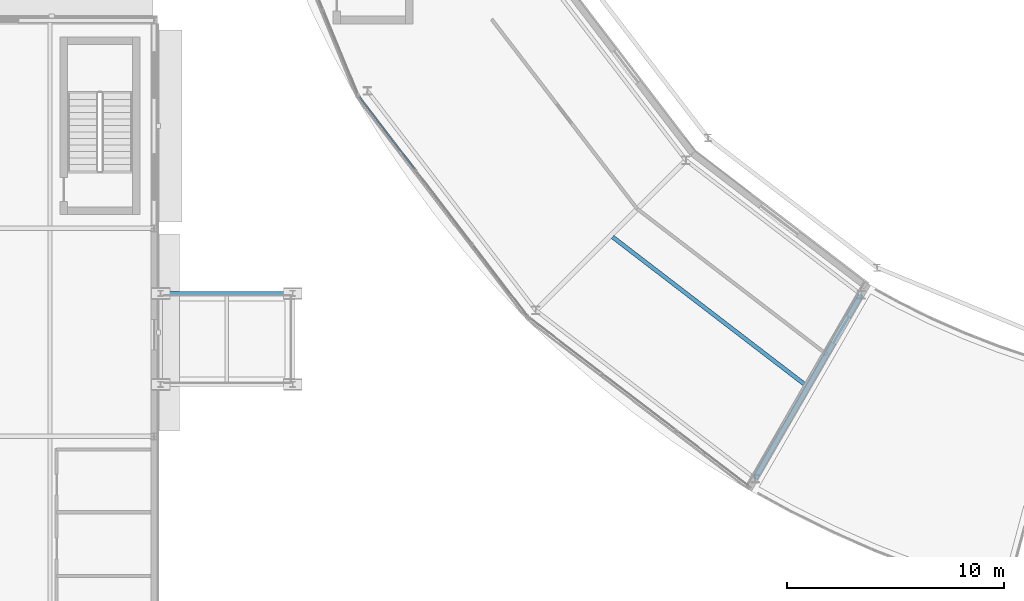
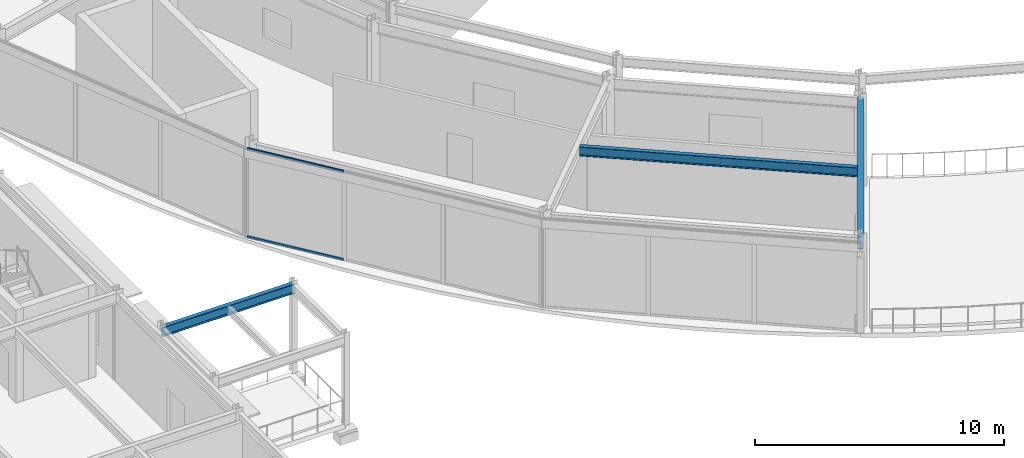
# One storey, part 27 of 157: 3 beams, 2 members, 1 element without a shape of its own.
"""IFC4 building model written with IfcOpenShell, lengths in metres."""

from ifc_helpers import new_model, si_unit, direction, frame, origin, origin_2d, place, context, subcontext, project, spatial, hollow_rectangle, i_section, extrude, material, material_profile, profile_set, type_object, element, aggregate, save


model = new_model("IFC4")

# Units and contexts
model_context = context("Model", 3, precision=1e-05, world=origin(), true_north=direction((0.0, 1.0)))
body_context = subcontext(model_context, "Body", "Model", "MODEL_VIEW")
ifc_project = project(units=[si_unit("LENGTHUNIT", "METRE"), si_unit("AREAUNIT", "SQUARE_METRE"), si_unit("VOLUMEUNIT", "CUBIC_METRE"), si_unit("PLANEANGLEUNIT", "RADIAN"), si_unit("MASSUNIT", "GRAM", prefix="KILO")], contexts=[model_context])

# Site, building, storey
site_placement = place(None, origin())
site = spatial("IfcSite", under=ifc_project, at=site_placement, CompositionType="ELEMENT")
building_placement = place(site_placement, origin())
building = spatial("IfcBuilding", under=site, at=building_placement, Name="Almandine Court Research Institute", CompositionType="ELEMENT")
storey_placement = place(building_placement, frame((0.0, 0.0, 5.25)))
storey = spatial("IfcBuildingStorey", under=building, at=storey_placement, Name="L01", CompositionType="ELEMENT", Elevation=5.25)

# Beams
ifc_material_1 = material(Name="Steel ASTM A992 Grade 50", Category="steel")
ifc_material_profile_1 = material_profile(ifc_material_1, i_section(OverallWidth=0.18994140625, OverallDepth=0.45703125, WebThickness=0.009033203125, FlangeThickness=0.014892578125, at=origin_2d()), Name="W460x74")
ifc_profile_set_1 = profile_set([ifc_material_profile_1], Name="Steel ASTM A992 Grade 50")
beam_type_1 = type_object("IfcBeamType", Name="Beam-B-01", PredefinedType="BEAM", material=ifc_profile_set_1)
beam_1_placement = place(storey_placement, frame((55.971923828125, 24.802978515625, 4.093994140625), z_axis=(0.793343941772, -0.608773677202, 0.0), x_axis=(0.608773677202, 0.793343941772, 0.0)))
element("IfcBeam", 1, at=beam_1_placement, inside=storey, type_object=beam_type_1, Name="L01 Drum MID Ring Beam 15", PredefinedType="BEAM", context=body_context, shape_type="SweptSolid", body=[
    extrude(i_section(OverallWidth=0.18994140625, OverallDepth=0.45703125, WebThickness=0.009033203125, FlangeThickness=0.014892578125, at=origin_2d()), origin(), (0.0, 0.0, 1.0), 11.248779296875),
])
ifc_material_profile_2 = material_profile(ifc_material_1, i_section(OverallWidth=0.22998046875, OverallDepth=0.616943359375, WebThickness=0.012939453125, FlangeThickness=0.02197265625, at=origin_2d()), Name="W610x140")
ifc_profile_set_2 = profile_set([ifc_material_profile_2], Name="Steel ASTM A992 Grade 50")
beam_type_2 = type_object("IfcBeamType", Name="Beam-G-02", PredefinedType="BEAM", material=ifc_profile_set_2)
beam_2_placement = place(storey_placement, frame((67.449951171875, 22.137939453125, 4.013916015625), z_axis=(-0.49999201416, -0.866030014362, 0.0), x_axis=(0.866030014362, -0.49999201416, 0.0)))
element("IfcBeam", 2, at=beam_2_placement, inside=storey, type_object=beam_type_2, Name="L01 Drum Radial Girder 16", PredefinedType="BEAM", context=body_context, shape_type="SweptSolid", body=[
    extrude(i_section(OverallWidth=0.22998046875, OverallDepth=0.616943359375, WebThickness=0.012939453125, FlangeThickness=0.02197265625, at=origin_2d()), origin(), (0.0, 0.0, 1.0), 9.800048828125),
])
ifc_material_profile_3 = material_profile(ifc_material_1, i_section(OverallWidth=0.193115234375, OverallDepth=0.466064453125, WebThickness=0.010986328125, FlangeThickness=0.01904296875, at=origin_2d()), Name="W460x97")
ifc_profile_set_3 = profile_set([ifc_material_profile_3], Name="Steel ASTM A992 Grade 50")
beam_type_3 = type_object("IfcBeamType", Name="Beam-G-06-E", PredefinedType="SPANDREL", material=ifc_profile_set_3)
beam_3_placement = place(storey_placement, frame((35.10009765625, 22.199951171875, 4.116943359375), z_axis=(1.0, 0.0, 0.0), x_axis=(0.0, 1.0, 0.0)))
element("IfcBeam", 3, at=beam_3_placement, inside=storey, type_object=beam_type_3, Name="L01 DAL-SW Primary X Girder", PredefinedType="SPANDREL", context=body_context, shape_type="SweptSolid", body=[
    extrude(i_section(OverallWidth=0.193115234375, OverallDepth=0.466064453125, WebThickness=0.010986328125, FlangeThickness=0.01904296875, at=origin_2d()), origin(), (0.0, 0.0, 1.0), 6.099853515625),
])

# Curtain wall, members
ifc_material_2 = material(Name="Unitised Curtain Wall Framing and Solar Glazing", Category="glass")
curtain_wall_type = type_object("IfcCurtainWallType", Name="CW-CWJ-19", PredefinedType="USERDEFINED", material=ifc_material_2)
curtain_wall_placement = place(storey_placement, origin())
curtain_wall = element("IfcCurtainWall", 4, at=curtain_wall_placement, inside=storey, type_object=curtain_wall_type, Name="L01 Stacked-Ring Drum Outer Solar Jali Screen 14", ObjectType="SOLAR JALI SCREEN", PredefinedType="USERDEFINED")
ifc_material_3 = material(Name="Anodised Aluminium AW-6063-T6", Category="aluminium")
ifc_material_profile_4 = material_profile(ifc_material_3, hollow_rectangle(XDim=0.06494140625, YDim=0.1298828125, WallThickness=0.00390625, at=origin_2d()), Name="ALU RHS 65x130x4")
ifc_profile_set_4 = profile_set([ifc_material_profile_4], Name="Anodised Aluminium AW-6063-T6")
member_type = type_object("IfcMemberType", Name="CWTrn-65x130", PredefinedType="NOTDEFINED", material=ifc_profile_set_4)
member_1_placement = place(storey_placement, frame((46.84814453125, 27.93701171875, 0.032470703125), z_axis=(-0.608689308041, 0.793408675449, 0.0), x_axis=(-0.793408675449, -0.608689308041, 0.0)))
member_1 = element("IfcMember", 5, at=member_1_placement, type_object=member_type, Name="CWJ-19 transom 3.1", ObjectType="TRANSOM", PredefinedType="USERDEFINED", context=body_context, shape_type="SweptSolid", body=[
    extrude(hollow_rectangle(XDim=0.06494140625, YDim=0.1298828125, WallThickness=0.00390625, at=origin_2d()), origin(), (0.0, 0.0, 1.0), 4.195068359375),
])
member_2_placement = place(storey_placement, frame((46.84814453125, 27.93701171875, 4.33740234375), z_axis=(-0.608689308041, 0.793408675449, 0.0), x_axis=(-0.793408675449, -0.608689308041, 0.0)))
member_2 = element("IfcMember", 6, at=member_2_placement, type_object=member_type, Name="CWJ-19 transom 3.2", ObjectType="TRANSOM", PredefinedType="USERDEFINED", context=body_context, shape_type="SweptSolid", body=[
    extrude(hollow_rectangle(XDim=0.06494140625, YDim=0.1298828125, WallThickness=0.00390625, at=origin_2d()), origin(), (0.0, 0.0, 1.0), 4.195068359375),
])
aggregate(curtain_wall, [member_1, member_2])

save(model, "model.ifc")
